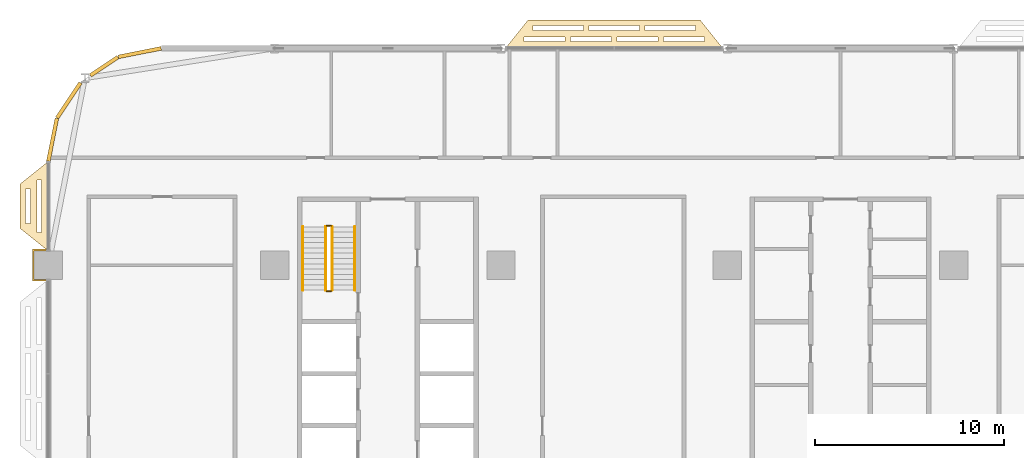
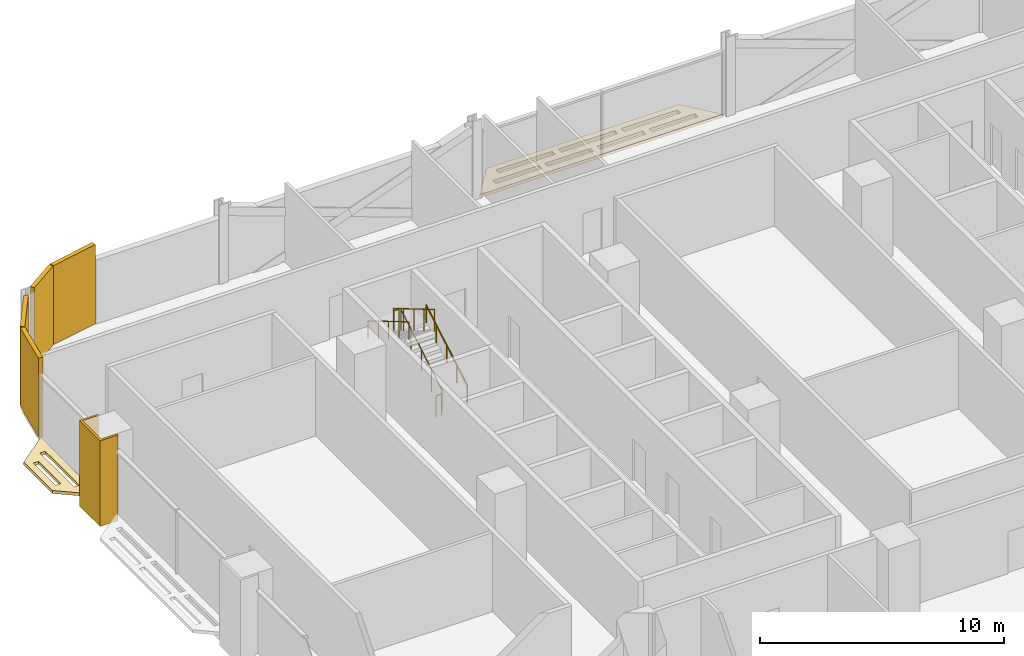
# One storey, part 26 of 29: 7 coverings, 6 railings.
"""IFC4 building model written with IfcOpenShell, lengths in metres."""

from ifc_helpers import new_model, si_unit, direction, frame, origin, origin_2d, place, context, subcontext, project, spatial, polyline, rectangle, circle, outline, extrude, material, layer, layer_set, type_object, element, save


model = new_model("IFC4")

# Units and contexts
model_context = context("Model", 3, precision=1e-05, world=origin(), true_north=direction((0.0, 1.0)))
body_context = subcontext(model_context, "Body", "Model", "MODEL_VIEW")
ifc_project = project(units=[si_unit("LENGTHUNIT", "METRE"), si_unit("AREAUNIT", "SQUARE_METRE"), si_unit("VOLUMEUNIT", "CUBIC_METRE"), si_unit("PLANEANGLEUNIT", "RADIAN"), si_unit("MASSUNIT", "GRAM", prefix="KILO")], contexts=[model_context])

# Site, building, storey
site_placement = place(None, origin())
site = spatial("IfcSite", under=ifc_project, at=site_placement, CompositionType="ELEMENT")
building_placement = place(site_placement, origin())
building = spatial("IfcBuilding", under=site, at=building_placement, Name="Mahtab Terrace Research Tower", CompositionType="ELEMENT")
storey_placement = place(building_placement, frame((0.0, 0.0, 71.800048828125)))
storey = spatial("IfcBuildingStorey", under=building, at=storey_placement, Name="L16", CompositionType="ELEMENT", Elevation=71.800048828125)

# Coverings
ifc_material_1 = material(Name="Black aluminium cladding panel", Category="aluminium")
ifc_layer_1 = layer(ifc_material_1, 0.199951171875)
ifc_layer_set_1 = layer_set([ifc_layer_1], Name="Black metal corner cladding 200")
covering_type_1 = type_object("IfcCoveringType", Name="Black metal corner cladding 200", PredefinedType="CLADDING", material=ifc_layer_set_1)
covering_1_placement = place(storey_placement, frame((-37.14794921875, 22.771484375, 0.0), z_axis=(0.0, 0.0, 1.0), x_axis=(-0.980760981187, -0.195212442692, 0.0)))
element("IfcCovering", 1, at=covering_1_placement, inside=storey, type_object=covering_type_1, Name="Corner cladding L16 11", PredefinedType="CLADDING", context=body_context, shape_type="SweptSolid", body=[
    extrude(rectangle(XDim=2.30126953125, YDim=0.199951171875, at=origin_2d()), origin(), (0.0, 0.0, 1.0), 3.9599609375),
])
covering_2_placement = place(storey_placement, frame((-39.0380859375, 22.047607421875, 0.0), z_axis=(0.0, 0.0, 1.0), x_axis=(-0.831655794326, -0.555291490808, 0.0)))
element("IfcCovering", 2, at=covering_2_placement, inside=storey, type_object=covering_type_1, Name="Corner cladding L16 12", PredefinedType="CLADDING", context=body_context, shape_type="SweptSolid", body=[
    extrude(rectangle(XDim=1.74462890625, YDim=0.199951171875, at=origin_2d()), origin(), (0.0, 0.0, 1.0), 3.9599609375),
])
covering_3_placement = place(storey_placement, frame((-40.911376953125, 20.2421875, 0.0), z_axis=(0.0, 0.0, 1.0), x_axis=(-0.555291490808, -0.831655794326, 0.0)))
element("IfcCovering", 3, at=covering_3_placement, inside=storey, type_object=covering_type_1, Name="Corner cladding L16 13", PredefinedType="CLADDING", context=body_context, shape_type="SweptSolid", body=[
    extrude(rectangle(XDim=2.235595703125, YDim=0.199951171875, at=origin_2d()), origin(), (0.0, 0.0, 1.0), 3.9599609375),
])
covering_4_placement = place(storey_placement, frame((-41.771484375, 18.14794921875, 0.0), z_axis=(0.0, 0.0, 1.0), x_axis=(-0.195212442692, -0.980760981187, 0.0)))
element("IfcCovering", 4, at=covering_4_placement, inside=storey, type_object=covering_type_1, Name="Corner cladding L16 14", PredefinedType="CLADDING", context=body_context, shape_type="SweptSolid", body=[
    extrude(rectangle(XDim=2.30126953125, YDim=0.199951171875, at=origin_2d()), origin(), (0.0, 0.0, 1.0), 3.9599609375),
])
ifc_material_2 = material(Name="Dark anodised aluminium cladding", Category="aluminium")
ifc_layer_2 = layer(ifc_material_2, 0.10009765625)
ifc_layer_set_2 = layer_set([ifc_layer_2], Name="Column casing 100")
covering_type_2 = type_object("IfcCoveringType", Name="Column casing 100", PredefinedType="CLADDING", material=ifc_layer_set_2)
covering_5_placement = place(storey_placement, frame((0.0, 0.0, -0.340087890625)))
element("IfcCovering", 5, at=covering_5_placement, inside=storey, type_object=covering_type_2, Name="Column casing RC-1C L16", PredefinedType="CLADDING", context=body_context, shape_type="SweptSolid", body=[
    extrude(outline(polyline([(-42.85009765625, 12.35009765625), (-42.0, 12.35009765625), (-42.0, 12.25), (-42.75, 12.25), (-42.75, 10.75), (-42.0, 10.75), (-42.0, 10.64990234375), (-42.85009765625, 10.64990234375), (-42.85009765625, 12.35009765625)])), origin(), (0.0, 0.0, 1.0), 4.300048828125),
])
ifc_material_3 = material(Name="Black anodised aluminium", Category="aluminium")
ifc_layer_3 = layer(ifc_material_3, 0.14990234375)
ifc_layer_set_3 = layer_set([ifc_layer_3], Name="Horizontal sunshade band")
covering_type_3 = type_object("IfcCoveringType", Name="Horizontal sunshade band", PredefinedType="CLADDING", material=ifc_layer_set_3)
covering_6_placement = place(storey_placement, frame((0.0, 0.0, -0.150146484375)))
element("IfcCovering", 6, at=covering_6_placement, inside=storey, type_object=covering_type_3, Name="Sunshade band L16 8", PredefinedType="CLADDING", context=body_context, shape_type="SweptSolid", body=[
    extrude(outline(polyline([(-6.238037109375, 23.0), (-17.761962890625, 23.0), (-16.56201171875, 24.5), (-7.43798828125, 24.5), (-6.238037109375, 23.0)]), holes=[polyline([(-7.218017578125, 23.35009765625), (-9.384033203125, 23.35009765625), (-9.384033203125, 23.60009765625), (-7.218017578125, 23.60009765625), (-7.218017578125, 23.35009765625)]), polyline([(-9.68408203125, 23.35009765625), (-11.85009765625, 23.35009765625), (-11.85009765625, 23.60009765625), (-9.68408203125, 23.60009765625), (-9.68408203125, 23.35009765625)]), polyline([(-12.14990234375, 23.35009765625), (-14.31591796875, 23.35009765625), (-14.31591796875, 23.60009765625), (-12.14990234375, 23.60009765625), (-12.14990234375, 23.35009765625)]), polyline([(-14.615966796875, 23.35009765625), (-16.781982421875, 23.35009765625), (-16.781982421875, 23.60009765625), (-14.615966796875, 23.60009765625), (-14.615966796875, 23.35009765625)]), polyline([(-7.697998046875, 23.949951171875), (-10.365966796875, 23.949951171875), (-10.365966796875, 24.199951171875), (-7.697998046875, 24.199951171875), (-7.697998046875, 23.949951171875)]), polyline([(-10.666015625, 23.949951171875), (-13.333984375, 23.949951171875), (-13.333984375, 24.199951171875), (-10.666015625, 24.199951171875), (-10.666015625, 23.949951171875)]), polyline([(-13.634033203125, 23.949951171875), (-16.302001953125, 23.949951171875), (-16.302001953125, 24.199951171875), (-13.634033203125, 24.199951171875), (-13.634033203125, 23.949951171875)])]), origin(), (0.0, 0.0, 1.0), 0.150146484375),
])
covering_7_placement = place(storey_placement, frame((0.0, 0.0, -0.150146484375)))
element("IfcCovering", 7, at=covering_7_placement, inside=storey, type_object=covering_type_3, Name="Sunshade band L16 15", PredefinedType="CLADDING", context=body_context, shape_type="SweptSolid", body=[
    extrude(outline(polyline([(-42.0, 17.0), (-42.0, 12.25), (-43.5, 13.449951171875), (-43.5, 15.800048828125), (-42.0, 17.0)]), holes=[polyline([(-42.35009765625, 16.02001953125), (-42.35009765625, 13.22998046875), (-42.60009765625, 13.22998046875), (-42.60009765625, 16.02001953125), (-42.35009765625, 16.02001953125)]), polyline([(-42.949951171875, 15.5400390625), (-42.949951171875, 13.7099609375), (-43.199951171875, 13.7099609375), (-43.199951171875, 15.5400390625), (-42.949951171875, 15.5400390625)])]), origin(), (0.0, 0.0, 1.0), 0.150146484375),
])

# Railings
ifc_material_4 = material(Name="Stainless steel AISI 304", Category="steel")
railing_type_1 = type_object("IfcRailingType", Name="Stair guard 1100", PredefinedType="GUARDRAIL", material=ifc_material_4)
railing_1_placement = place(storey_placement, frame((-26.949951171875, 10.175048828125, 0.165283203125)))
element("IfcRailing", 8, at=railing_1_placement, inside=storey, type_object=railing_type_1, Name="L16 ST1 stair guard 1", PredefinedType="GUARDRAIL", context=body_context, shape_type="SweptSolid", body=[
    extrude(circle(Radius=0.02392578125, at=origin_2d()), frame((0.0, 0.0, 1.076171875), z_axis=(0.0, 0.861011212953, 0.508585972249), x_axis=(-1.0, 0.0, 0.0)), (0.0, 0.0, 1.0), 3.90234375),
    extrude(circle(Radius=0.02099609375, at=origin_2d()), origin(), (0.0, 0.0, 1.0), 1.052001953125),
    extrude(circle(Radius=0.02099609375, at=origin_2d()), frame((0.0, 0.83984375, 0.49609375)), (0.0, 0.0, 1.0), 1.052001953125),
    extrude(circle(Radius=0.02099609375, at=origin_2d()), frame((0.0, 1.679931640625, 0.9921875)), (0.0, 0.0, 1.0), 1.052001953125),
    extrude(circle(Radius=0.02099609375, at=origin_2d()), frame((0.0, 2.52001953125, 1.488525390625)), (0.0, 0.0, 1.0), 1.052001953125),
    extrude(circle(Radius=0.02099609375, at=origin_2d()), frame((0.0, 3.35986328125, 1.984619140625)), (0.0, 0.0, 1.0), 1.052001953125),
])
railing_2_placement = place(storey_placement, frame((-27.0, 13.5849609375, 2.14990234375)))
element("IfcRailing", 9, at=railing_2_placement, inside=storey, type_object=railing_type_1, Name="L16 ST1 stair guard 2", PredefinedType="GUARDRAIL", context=body_context, shape_type="SweptSolid", body=[
    extrude(circle(Radius=0.02392578125, at=origin_2d()), frame((0.0, 0.0, 1.076171875), z_axis=(-1.0, 0.0, 0.0), x_axis=(0.0, -1.0, 0.0)), (0.0, 0.0, 1.0), 0.25),
    extrude(circle(Radius=0.02099609375, at=origin_2d()), origin(), (0.0, 0.0, 1.0), 1.052001953125),
    extrude(circle(Radius=0.02099609375, at=origin_2d()), frame((-0.25, 0.0, 0.0)), (0.0, 0.0, 1.0), 1.052001953125),
])
railing_3_placement = place(storey_placement, frame((-27.300048828125, 13.534912109375, 2.3154296875)))
element("IfcRailing", 10, at=railing_3_placement, inside=storey, type_object=railing_type_1, Name="L16 ST1 stair guard 3", PredefinedType="GUARDRAIL", context=body_context, shape_type="SweptSolid", body=[
    extrude(circle(Radius=0.02392578125, at=origin_2d()), frame((0.0, 0.0, 1.076171875), z_axis=(0.0, -0.861011212953, 0.508585972249), x_axis=(1.0, 0.0, 0.0)), (0.0, 0.0, 1.0), 3.90234375),
    extrude(circle(Radius=0.02099609375, at=origin_2d()), origin(), (0.0, 0.0, 1.0), 1.052001953125),
    extrude(circle(Radius=0.02099609375, at=origin_2d()), frame((0.0, -0.83984375, 0.49609375)), (0.0, 0.0, 1.0), 1.052001953125),
    extrude(circle(Radius=0.02099609375, at=origin_2d()), frame((0.0, -1.679931640625, 0.9921875)), (0.0, 0.0, 1.0), 1.052001953125),
    extrude(circle(Radius=0.02099609375, at=origin_2d()), frame((0.0, -2.52001953125, 1.488525390625)), (0.0, 0.0, 1.0), 1.052001953125),
    extrude(circle(Radius=0.02099609375, at=origin_2d()), frame((0.0, -3.35986328125, 1.984619140625)), (0.0, 0.0, 1.0), 1.052001953125),
])
railing_4_placement = place(storey_placement, frame((-27.0, 10.125, 0.0)))
element("IfcRailing", 11, at=railing_4_placement, inside=storey, type_object=railing_type_1, Name="L16 ST1 stair guard 4", PredefinedType="GUARDRAIL", context=body_context, shape_type="SweptSolid", body=[
    extrude(circle(Radius=0.02392578125, at=origin_2d()), frame((0.0, 0.0, 1.076171875), z_axis=(-1.0, 0.0, 0.0), x_axis=(0.0, -1.0, 0.0)), (0.0, 0.0, 1.0), 0.25),
    extrude(circle(Radius=0.02099609375, at=origin_2d()), origin(), (0.0, 0.0, 1.0), 1.052001953125),
    extrude(circle(Radius=0.02099609375, at=origin_2d()), frame((-0.25, 0.0, 0.0)), (0.0, 0.0, 1.0), 1.052001953125),
])
railing_type_2 = type_object("IfcRailingType", Name="Stair handrail 900", PredefinedType="HANDRAIL", material=ifc_material_4)
railing_5_placement = place(storey_placement, frame((-25.75, 10.175048828125, 0.165283203125)))
element("IfcRailing", 12, at=railing_5_placement, inside=storey, type_object=railing_type_2, Name="L16 ST1 stair handrail 1", PredefinedType="HANDRAIL", context=body_context, shape_type="SweptSolid", body=[
    extrude(circle(Radius=0.02392578125, at=origin_2d()), frame((0.0, 0.0, 0.8759765625), z_axis=(0.0, 0.861011212953, 0.508585972249), x_axis=(-1.0, 0.0, 0.0)), (0.0, 0.0, 1.0), 3.90234375),
    extrude(circle(Radius=0.02099609375, at=origin_2d()), origin(), (0.0, 0.0, 1.0), 0.851806640625),
    extrude(circle(Radius=0.02099609375, at=origin_2d()), frame((0.0, 0.83984375, 0.49609375)), (0.0, 0.0, 1.0), 0.851806640625),
    extrude(circle(Radius=0.02099609375, at=origin_2d()), frame((0.0, 1.679931640625, 0.9921875)), (0.0, 0.0, 1.0), 0.851806640625),
    extrude(circle(Radius=0.02099609375, at=origin_2d()), frame((0.0, 2.52001953125, 1.488525390625)), (0.0, 0.0, 1.0), 0.851806640625),
    extrude(circle(Radius=0.02099609375, at=origin_2d()), frame((0.0, 3.35986328125, 1.984619140625)), (0.0, 0.0, 1.0), 0.851806640625),
])
railing_6_placement = place(storey_placement, frame((-28.5, 13.534912109375, 2.3154296875)))
element("IfcRailing", 13, at=railing_6_placement, inside=storey, type_object=railing_type_2, Name="L16 ST1 stair handrail 2", PredefinedType="HANDRAIL", context=body_context, shape_type="SweptSolid", body=[
    extrude(circle(Radius=0.02392578125, at=origin_2d()), frame((0.0, 0.0, 0.8759765625), z_axis=(0.0, -0.861011212953, 0.508585972249), x_axis=(1.0, 0.0, 0.0)), (0.0, 0.0, 1.0), 3.90234375),
    extrude(circle(Radius=0.02099609375, at=origin_2d()), origin(), (0.0, 0.0, 1.0), 0.851806640625),
    extrude(circle(Radius=0.02099609375, at=origin_2d()), frame((0.0, -0.83984375, 0.49609375)), (0.0, 0.0, 1.0), 0.851806640625),
    extrude(circle(Radius=0.02099609375, at=origin_2d()), frame((0.0, -1.679931640625, 0.9921875)), (0.0, 0.0, 1.0), 0.851806640625),
    extrude(circle(Radius=0.02099609375, at=origin_2d()), frame((0.0, -2.52001953125, 1.488525390625)), (0.0, 0.0, 1.0), 0.851806640625),
    extrude(circle(Radius=0.02099609375, at=origin_2d()), frame((0.0, -3.35986328125, 1.984619140625)), (0.0, 0.0, 1.0), 0.851806640625),
])

save(model, "model.ifc")
